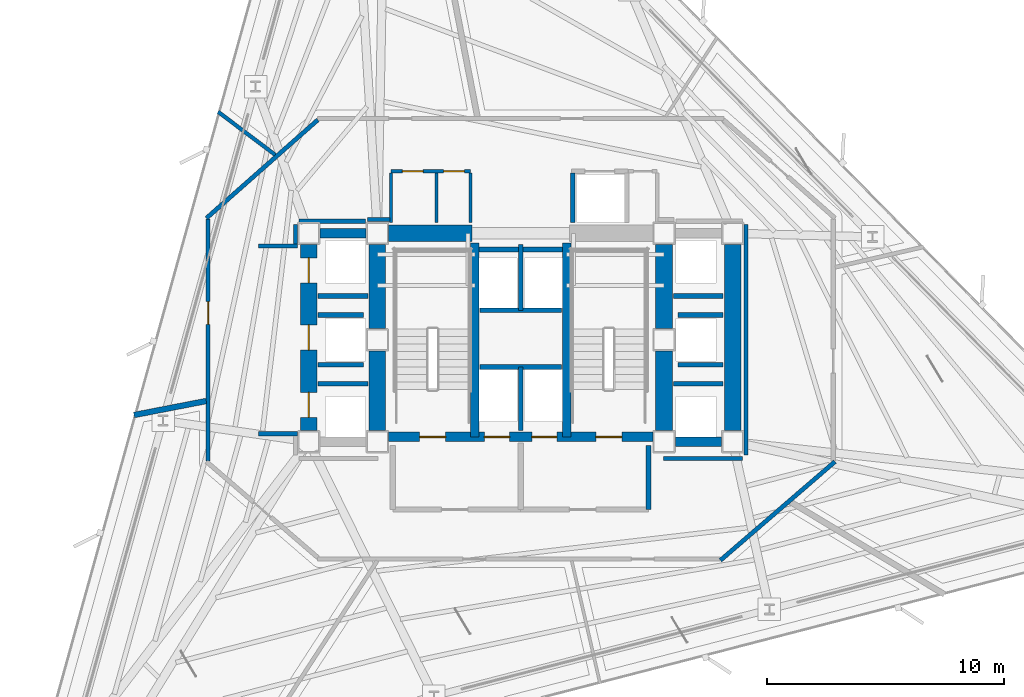
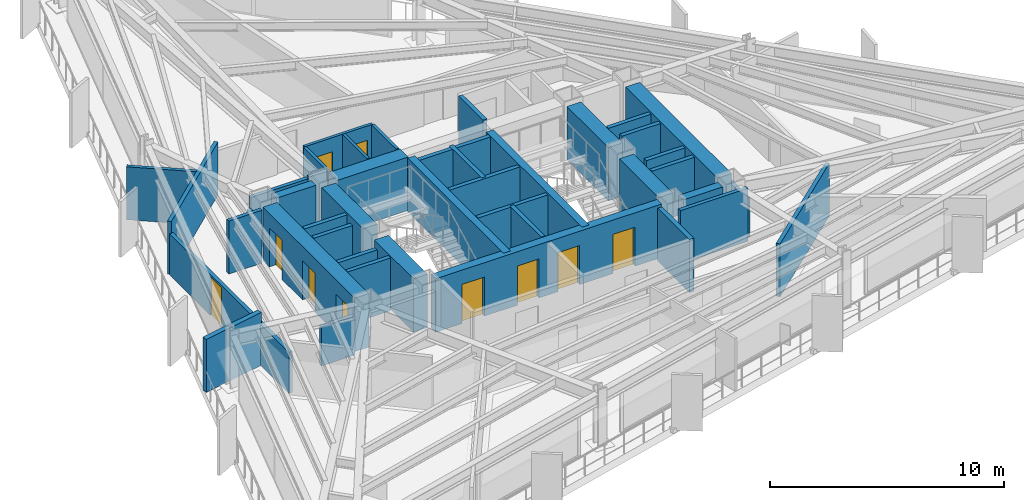
# One storey, part 7 of 11: 43 walls, 10 doors, 10 openings.
"""IFC4 building model written with IfcOpenShell, lengths in metres."""

from ifc_helpers import new_model, si_unit, direction, frame, frame_2d, origin, place, context, subcontext, project, spatial, rectangle, extrude, material, layer, layer_set, type_object, element, fill, save


model = new_model("IFC4")

# Units and contexts
model_context = context("Model", 3, precision=1e-05, world=origin(), true_north=direction((0.0, 1.0)))
body_context = subcontext(model_context, "Body", "Model", "MODEL_VIEW")
ifc_project = project(units=[si_unit("LENGTHUNIT", "METRE"), si_unit("AREAUNIT", "SQUARE_METRE"), si_unit("VOLUMEUNIT", "CUBIC_METRE"), si_unit("PLANEANGLEUNIT", "RADIAN"), si_unit("MASSUNIT", "GRAM", prefix="KILO")], contexts=[model_context])

# Site, building, storey
site_placement = place(None, origin())
site = spatial("IfcSite", under=ifc_project, at=site_placement, CompositionType="ELEMENT")
building_placement = place(site_placement, origin())
building = spatial("IfcBuilding", under=site, at=building_placement, Name="Rocaltana Carrier Exchange", CompositionType="ELEMENT")
storey_placement = place(building_placement, frame((0.0, 0.0, 76.47998046875)))
storey = spatial("IfcBuildingStorey", under=building, at=storey_placement, Name="L23", CompositionType="ELEMENT", Elevation=76.47998046875)

# Walls
ifc_material_1 = material(Name="Double Acoustic Gypsum Partition", Category="gypsum")
ifc_layer_1 = layer(ifc_material_1, 0.159912109375)
ifc_layer_set_1 = layer_set([ifc_layer_1], Name="Double Acoustic Gypsum Partition")
wall_type_1 = type_object("IfcWallType", Name="Acoustic Studio Partition 160 EI60", PredefinedType="PARTITIONING", material=ifc_layer_set_1)
wall_1_placement = place(storey_placement, frame((-10.364501953125, 7.810302734375, 0.0), z_axis=(0.0, 0.0, 1.0), x_axis=(-0.79865006228, 0.601795711201, 0.0)))
element("IfcWall", 1, at=wall_1_placement, inside=storey, type_object=wall_type_1, Name="L23 Suite Divider Wall D8", PredefinedType="PARTITIONING", context=body_context, shape_type="SweptSolid", body=[
    extrude(rectangle(XDim=3.021240234375, YDim=0.159912109375, at=frame_2d((1.5107421875, 0.0))), origin(), (0.0, 0.0, 1.0), 2.762939453125),
])
ifc_material_2 = material(Name="Concrete C50/60", Category="concrete")
ifc_layer_2 = layer(ifc_material_2, 0.35009765625)
ifc_layer_set_2 = layer_set([ifc_layer_2], Name="Concrete C50/60")
wall_type_2 = type_object("IfcWallType", Name="Core Internal Shear Wall 350", PredefinedType="SHEAR", material=ifc_layer_set_2)
for number, where, z_axis, x_axis, name in (
    (2, (-1.93994140625, -4.10009765625, 0.0), (0.0, 0.0, 1.0), (0.0, 1.0, 0.0), "L23 Core Shear Wall CW-STW"),
    (3, (1.93994140625, -4.10009765625, 0.0), (0.0, 0.0, 1.0), (0.0, 1.0, 0.0), "L23 Core Shear Wall CW-STE"),
):
    element("IfcWall", number, at=place(storey_placement, frame(where, z_axis=z_axis, x_axis=x_axis)), inside=storey, type_object=wall_type_2, Name=name, PredefinedType="SHEAR", context=body_context, shape_type="SweptSolid", body=[
        extrude(rectangle(XDim=8.2001953125, YDim=0.35009765625, at=frame_2d((4.10009765625, 0.0))), origin(), (0.0, 0.0, 1.0), 2.7880859375),
    ])

# Wall, openings, doors
ifc_material_3 = material(Name="Concrete C50/60", Category="concrete")
ifc_layer_3 = layer(ifc_material_3, 0.39990234375)
ifc_layer_set_3 = layer_set([ifc_layer_3], Name="Concrete C50/60")
wall_type_3 = type_object("IfcWallType", Name="Core Internal Shear Wall 400", PredefinedType="SHEAR", material=ifc_layer_set_3)
wall_2_placement = place(storey_placement, frame((-5.574951171875, -4.10009765625, 0.0), z_axis=(0.0, 0.0, 1.0), x_axis=(1.0, 0.0, 0.0)))
wall_2 = element("IfcWall", 4, at=wall_2_placement, inside=storey, type_object=wall_type_3, Name="L23 Core Shear Wall CW-S", PredefinedType="SHEAR", context=body_context, shape_type="SweptSolid", body=[
    extrude(rectangle(XDim=11.14990234375, YDim=0.39990234375, at=frame_2d((5.574951171875, 0.0))), origin(), (0.0, 0.0, 1.0), 2.7880859375),
])
opening_1_placement = place(wall_2_placement, frame((1.304931640625, 0.0, 0.0)))
opening_1 = element("IfcOpeningElement", 5, at=opening_1_placement, cuts=wall_2, Name="Opening D-ST110", PredefinedType="OPENING", context=body_context, shape_type="SweptSolid", body=[
    extrude(rectangle(XDim=1.10009765625, YDim=2.0400390625, at=frame_2d((0.550048828125, 1.02001953125))), frame((0.0, 0.2099609375, 0.0), z_axis=(0.0, -1.0, 0.0), x_axis=(1.0, 0.0, 0.0)), (0.0, 0.0, 1.0), 0.419921875),
])
opening_2_placement = place(wall_2_placement, frame((8.7451171875, 0.0, 0.0)))
opening_2 = element("IfcOpeningElement", 6, at=opening_2_placement, cuts=wall_2, Name="Opening D-ST110", PredefinedType="OPENING", context=body_context, shape_type="SweptSolid", body=[
    extrude(rectangle(XDim=1.10009765625, YDim=2.0400390625, at=frame_2d((0.550048828125, 1.02001953125))), frame((0.0, 0.2099609375, 0.0), z_axis=(0.0, -1.0, 0.0), x_axis=(1.0, 0.0, 0.0)), (0.0, 0.0, 1.0), 0.419921875),
])
opening_3_placement = place(wall_2_placement, frame((4.044921875, 0.0, 0.0)))
opening_3 = element("IfcOpeningElement", 7, at=opening_3_placement, cuts=wall_2, Name="Opening LD-110", PredefinedType="OPENING", context=body_context, shape_type="SweptSolid", body=[
    extrude(rectangle(XDim=1.06005859375, YDim=2.0400390625, at=frame_2d((0.530029296875, 1.02001953125))), frame((0.0, 0.2099609375, 0.0), z_axis=(0.0, -1.0, 0.0), x_axis=(1.0, 0.0, 0.0)), (0.0, 0.0, 1.0), 0.419921875),
])
opening_4_placement = place(wall_2_placement, frame((6.044921875, 0.0, 0.0)))
opening_4 = element("IfcOpeningElement", 8, at=opening_4_placement, cuts=wall_2, Name="Opening LD-110", PredefinedType="OPENING", context=body_context, shape_type="SweptSolid", body=[
    extrude(rectangle(XDim=1.06005859375, YDim=2.0400390625, at=frame_2d((0.530029296875, 1.02001953125))), frame((0.0, 0.2099609375, 0.0), z_axis=(0.0, -1.0, 0.0), x_axis=(1.0, 0.0, 0.0)), (0.0, 0.0, 1.0), 0.419921875),
])
ifc_material_4 = material(Name="Hollow Metal Fire Door Assembly", Category="steel")
door_type_1 = type_object("IfcDoorType", Name="Exit Stair Fire Door 1100x2040 FD90S", OperationType="NOTDEFINED", PredefinedType="DOOR", material=ifc_material_4)
door_1_placement = place(opening_1_placement, origin())
door_1 = element("IfcDoor", 9, at=door_1_placement, inside=storey, type_object=door_type_1, Name="L23 Exit Stair ST1 Fire Door", OperationType="SINGLE_SWING_RIGHT", OverallHeight=2.0400390625, OverallWidth=1.10009765625, PredefinedType="DOOR", context=body_context, shape_type="SweptSolid", body=[
    extrude(rectangle(XDim=1.10009765625, YDim=2.0400390625, at=frame_2d((0.550048828125, 1.02001953125))), frame((0.0, 0.02490234375, 0.0), z_axis=(0.0, -1.0, 0.0), x_axis=(1.0, 0.0, 0.0)), (0.0, 0.0, 1.0), 0.050048828125),
])
fill(opening_1, door_1)
door_2_placement = place(opening_2_placement, origin())
door_2 = element("IfcDoor", 10, at=door_2_placement, inside=storey, type_object=door_type_1, Name="L23 Exit Stair ST2 Fire Door", OperationType="SINGLE_SWING_LEFT", OverallHeight=2.0400390625, OverallWidth=1.10009765625, PredefinedType="DOOR", context=body_context, shape_type="SweptSolid", body=[
    extrude(rectangle(XDim=1.10009765625, YDim=2.0400390625, at=frame_2d((0.550048828125, 1.02001953125))), frame((0.0, 0.02490234375, 0.0), z_axis=(0.0, -1.0, 0.0), x_axis=(1.0, 0.0, 0.0)), (0.0, 0.0, 1.0), 0.050048828125),
])
fill(opening_2, door_2)
ifc_material_5 = material(Name="Brushed Stainless Sliding Door Leaf", Category="steel")
door_type_2 = type_object("IfcDoorType", Name="Lift Landing Sliding Door 1060x2040", OperationType="NOTDEFINED", PredefinedType="DOOR", material=ifc_material_5)
door_3_placement = place(opening_3_placement, origin())
door_3 = element("IfcDoor", 11, at=door_3_placement, inside=storey, type_object=door_type_2, Name="L23 Firefighting Lift FFL1 Landing Door", OperationType="SLIDING_TO_LEFT", OverallHeight=2.0400390625, OverallWidth=1.06005859375, PredefinedType="DOOR", context=body_context, shape_type="SweptSolid", body=[
    extrude(rectangle(XDim=1.06005859375, YDim=2.0400390625, at=frame_2d((0.530029296875, 1.02001953125))), frame((0.0, 0.02490234375, 0.0), z_axis=(0.0, -1.0, 0.0), x_axis=(1.0, 0.0, 0.0)), (0.0, 0.0, 1.0), 0.050048828125),
])
fill(opening_3, door_3)
door_4_placement = place(opening_4_placement, origin())
door_4 = element("IfcDoor", 12, at=door_4_placement, inside=storey, type_object=door_type_2, Name="L23 Firefighting Lift FFL2 Landing Door", OperationType="SLIDING_TO_RIGHT", OverallHeight=2.0400390625, OverallWidth=1.06005859375, PredefinedType="DOOR", context=body_context, shape_type="SweptSolid", body=[
    extrude(rectangle(XDim=1.06005859375, YDim=2.0400390625, at=frame_2d((0.530029296875, 1.02001953125))), frame((0.0, 0.02490234375, 0.0), z_axis=(0.0, -1.0, 0.0), x_axis=(1.0, 0.0, 0.0)), (0.0, 0.0, 1.0), 0.050048828125),
])
fill(opening_4, door_4)

# Walls
for number, where, z_axis, x_axis, name in (
    (13, (-8.47509765625, 4.5, 0.0), (0.0, 0.0, 1.0), (1.0, 0.0, 0.0), "L23 Core Shear Wall CW-WWN"),
    (14, (6.52490234375, -4.300048828125, 0.0), (0.0, 0.0, 1.0), (1.0, 0.0, 0.0), "L23 Core Shear Wall CW-EWS"),
):
    element("IfcWall", number, at=place(storey_placement, frame(where, z_axis=z_axis, x_axis=x_axis)), inside=storey, type_object=wall_type_3, Name=name, PredefinedType="SHEAR", context=body_context, shape_type="SweptSolid", body=[
        extrude(rectangle(XDim=1.9501953125, YDim=0.39990234375, at=frame_2d((0.97509765625, 0.0))), origin(), (0.0, 0.0, 1.0), 2.7880859375),
    ])
ifc_material_6 = material(Name="Concrete C60/75", Category="concrete")
ifc_layer_4 = layer(ifc_material_6, 0.699951171875)
ifc_layer_set_4 = layer_set([ifc_layer_4], Name="Concrete C60/75")
wall_type_4 = type_object("IfcWallType", Name="Core Shear Wall 700", PredefinedType="SHEAR", material=ifc_layer_set_4)
wall_3_placement = place(storey_placement, frame((-6.050048828125, 0.47509765625, 0.0), z_axis=(0.0, 0.0, 1.0), x_axis=(0.0, 1.0, 0.0)))
element("IfcWall", 15, at=wall_3_placement, inside=storey, type_object=wall_type_4, Name="L23 Core Shear Wall CW-WN", PredefinedType="SHEAR", context=body_context, shape_type="SweptSolid", body=[
    extrude(rectangle(XDim=3.5498046875, YDim=0.699951171875, at=frame_2d((1.77490234375, 0.0))), origin(), (0.0, 0.0, 1.0), 2.7880859375),
])
wall_4_placement = place(storey_placement, frame((-6.050048828125, -3.824951171875, 0.0), z_axis=(0.0, 0.0, 1.0), x_axis=(0.0, 1.0, 0.0)))
element("IfcWall", 16, at=wall_4_placement, inside=storey, type_object=wall_type_4, Name="L23 Core Shear Wall CW-WS", PredefinedType="SHEAR", context=body_context, shape_type="SweptSolid", body=[
    extrude(rectangle(XDim=3.349853515625, YDim=0.699951171875, at=frame_2d((1.6748046875, 0.0))), origin(), (0.0, 0.0, 1.0), 2.7880859375),
])
wall_5_placement = place(storey_placement, frame((6.050048828125, 0.47509765625, 0.0), z_axis=(0.0, 0.0, 1.0), x_axis=(0.0, 1.0, 0.0)))
element("IfcWall", 17, at=wall_5_placement, inside=storey, type_object=wall_type_4, Name="L23 Core Shear Wall CW-EN", PredefinedType="SHEAR", context=body_context, shape_type="SweptSolid", body=[
    extrude(rectangle(XDim=3.5498046875, YDim=0.699951171875, at=frame_2d((1.77490234375, 0.0))), origin(), (0.0, 0.0, 1.0), 2.7880859375),
])
wall_6_placement = place(storey_placement, frame((6.050048828125, -3.824951171875, 0.0), z_axis=(0.0, 0.0, 1.0), x_axis=(0.0, 1.0, 0.0)))
element("IfcWall", 18, at=wall_6_placement, inside=storey, type_object=wall_type_4, Name="L23 Core Shear Wall CW-ES", PredefinedType="SHEAR", context=body_context, shape_type="SweptSolid", body=[
    extrude(rectangle(XDim=3.349853515625, YDim=0.699951171875, at=frame_2d((1.6748046875, 0.0))), origin(), (0.0, 0.0, 1.0), 2.7880859375),
])
wall_7_placement = place(storey_placement, frame((-5.574951171875, 4.5, 0.0), z_axis=(0.0, 0.0, 1.0), x_axis=(1.0, 0.0, 0.0)))
element("IfcWall", 19, at=wall_7_placement, inside=storey, type_object=wall_type_4, Name="L23 Core Shear Wall CW-N1", PredefinedType="SHEAR", context=body_context, shape_type="SweptSolid", body=[
    extrude(rectangle(XDim=3.52490234375, YDim=0.699951171875, at=frame_2d((1.762451171875, 0.0))), origin(), (0.0, 0.0, 1.0), 2.7880859375),
])

# Wall, openings, doors
wall_8_placement = place(storey_placement, frame((-8.949951171875, -3.824951171875, 0.0), z_axis=(0.0, 0.0, 1.0), x_axis=(0.0, 1.0, 0.0)))
wall_8 = element("IfcWall", 20, at=wall_8_placement, inside=storey, type_object=wall_type_4, Name="L23 Core Shear Wall CW-WW", PredefinedType="SHEAR", context=body_context, shape_type="SweptSolid", body=[
    extrude(rectangle(XDim=7.849853515625, YDim=0.699951171875, at=frame_2d((3.9248046875, 0.0))), origin(), (0.0, 0.0, 1.0), 2.7880859375),
])
opening_5_placement = place(wall_8_placement, frame((0.550048828125, 0.0, 0.0)))
opening_5 = element("IfcOpeningElement", 21, at=opening_5_placement, cuts=wall_8, Name="Opening LD-110", PredefinedType="OPENING", context=body_context, shape_type="SweptSolid", body=[
    extrude(rectangle(XDim=1.06005859375, YDim=2.0400390625, at=frame_2d((0.530029296875, 1.02001953125))), frame((0.0, 0.35986328125, 0.0), z_axis=(0.0, -1.0, 0.0), x_axis=(1.0, 0.0, 0.0)), (0.0, 0.0, 1.0), 0.719970703125),
])
opening_6_placement = place(wall_8_placement, frame((3.39501953125, 0.0, 0.0)))
opening_6 = element("IfcOpeningElement", 22, at=opening_6_placement, cuts=wall_8, Name="Opening LD-110", PredefinedType="OPENING", context=body_context, shape_type="SweptSolid", body=[
    extrude(rectangle(XDim=1.06005859375, YDim=2.0400390625, at=frame_2d((0.530029296875, 1.02001953125))), frame((0.0, 0.35986328125, 0.0), z_axis=(0.0, -1.0, 0.0), x_axis=(1.0, 0.0, 0.0)), (0.0, 0.0, 1.0), 0.719970703125),
])
opening_7_placement = place(wall_8_placement, frame((6.22998046875, 0.0, 0.0)))
opening_7 = element("IfcOpeningElement", 23, at=opening_7_placement, cuts=wall_8, Name="Opening LD-110", PredefinedType="OPENING", context=body_context, shape_type="SweptSolid", body=[
    extrude(rectangle(XDim=1.06005859375, YDim=2.0400390625, at=frame_2d((0.530029296875, 1.02001953125))), frame((0.0, 0.35986328125, 0.0), z_axis=(0.0, -1.0, 0.0), x_axis=(1.0, 0.0, 0.0)), (0.0, 0.0, 1.0), 0.719970703125),
])
door_5_placement = place(opening_5_placement, origin())
door_5 = element("IfcDoor", 24, at=door_5_placement, inside=storey, type_object=door_type_2, Name="L23 Low-Rise Lift PL-L1 Landing Door", OperationType="SLIDING_TO_LEFT", OverallHeight=2.0400390625, OverallWidth=1.06005859375, PredefinedType="DOOR", context=body_context, shape_type="SweptSolid", body=[
    extrude(rectangle(XDim=1.06005859375, YDim=2.0400390625, at=frame_2d((0.530029296875, 1.02001953125))), frame((0.0, 0.02490234375, 0.0), z_axis=(0.0, -1.0, 0.0), x_axis=(1.0, 0.0, 0.0)), (0.0, 0.0, 1.0), 0.050048828125),
])
fill(opening_5, door_5)
door_6_placement = place(opening_6_placement, origin())
door_6 = element("IfcDoor", 25, at=door_6_placement, inside=storey, type_object=door_type_2, Name="L23 Low-Rise Lift PL-L2 Landing Door", OperationType="SLIDING_TO_RIGHT", OverallHeight=2.0400390625, OverallWidth=1.06005859375, PredefinedType="DOOR", context=body_context, shape_type="SweptSolid", body=[
    extrude(rectangle(XDim=1.06005859375, YDim=2.0400390625, at=frame_2d((0.530029296875, 1.02001953125))), frame((0.0, 0.02490234375, 0.0), z_axis=(0.0, -1.0, 0.0), x_axis=(1.0, 0.0, 0.0)), (0.0, 0.0, 1.0), 0.050048828125),
])
fill(opening_6, door_6)
door_7_placement = place(opening_7_placement, origin())
door_7 = element("IfcDoor", 26, at=door_7_placement, inside=storey, type_object=door_type_2, Name="L23 Low-Rise Lift PL-L3 Landing Door", OperationType="SLIDING_TO_LEFT", OverallHeight=2.0400390625, OverallWidth=1.06005859375, PredefinedType="DOOR", context=body_context, shape_type="SweptSolid", body=[
    extrude(rectangle(XDim=1.06005859375, YDim=2.0400390625, at=frame_2d((0.530029296875, 1.02001953125))), frame((0.0, 0.02490234375, 0.0), z_axis=(0.0, -1.0, 0.0), x_axis=(1.0, 0.0, 0.0)), (0.0, 0.0, 1.0), 0.050048828125),
])
fill(opening_7, door_7)

# Walls
wall_9_placement = place(storey_placement, frame((8.949951171875, -3.824951171875, 0.0), z_axis=(0.0, 0.0, 1.0), x_axis=(0.0, 1.0, 0.0)))
element("IfcWall", 27, at=wall_9_placement, inside=storey, type_object=wall_type_4, Name="L23 Core Shear Wall CW-EW", PredefinedType="SHEAR", context=body_context, shape_type="SweptSolid", body=[
    extrude(rectangle(XDim=7.849853515625, YDim=0.699951171875, at=frame_2d((3.9248046875, 0.0))), origin(), (0.0, 0.0, 1.0), 2.7880859375),
])
ifc_material_7 = material(Name="Gypsum & Steel Stud Partition", Category="steel")
ifc_layer_5 = layer(ifc_material_7, 0.179931640625)
ifc_layer_set_5 = layer_set([ifc_layer_5], Name="Gypsum & Steel Stud Partition")
wall_type_5 = type_object("IfcWallType", Name="Corridor Fire Partition 180 EI60", PredefinedType="PARTITIONING", material=ifc_layer_set_5)
wall_10_placement = place(storey_placement, frame((13.268310546875, -5.14111328125, 0.0), z_axis=(0.0, 0.0, 1.0), x_axis=(-0.757534501725, -0.65279512766, 0.0)))
element("IfcWall", 28, at=wall_10_placement, inside=storey, type_object=wall_type_5, Name="L23 Corridor Partition 4", PredefinedType="PARTITIONING", context=body_context, shape_type="SweptSolid", body=[
    extrude(rectangle(XDim=6.384521484375, YDim=0.179931640625, at=frame_2d((3.1923828125, 0.0))), origin(), (0.0, 0.0, 1.0), 2.762939453125),
])

# Wall, opening, door
wall_11_placement = place(storey_placement, frame((-13.199951171875, -5.110107421875, 0.0), z_axis=(0.0, 0.0, 1.0), x_axis=(0.0, 1.0, 0.0)))
wall_11 = element("IfcWall", 29, at=wall_11_placement, inside=storey, type_object=wall_type_5, Name="L23 Corridor Partition 7", PredefinedType="PARTITIONING", context=body_context, shape_type="SweptSolid", body=[
    extrude(rectangle(XDim=10.22021484375, YDim=0.179931640625, at=frame_2d((5.110107421875, 0.0))), origin(), (0.0, 0.0, 1.0), 2.14306640625),
])
opening_8_placement = place(wall_11_placement, frame((5.764892578125, 0.0, 0.0)))
opening_8 = element("IfcOpeningElement", 30, at=opening_8_placement, cuts=wall_11, Name="Opening D-RM098", PredefinedType="OPENING", context=body_context, shape_type="SweptSolid", body=[
    extrude(rectangle(XDim=0.9599609375, YDim=2.02001953125, at=frame_2d((0.47998046875, 1.010009765625))), frame((0.0, 0.099853515625, 0.0), z_axis=(0.0, -1.0, 0.0), x_axis=(1.0, 0.0, 0.0)), (0.0, 0.0, 1.0), 0.199951171875),
])
ifc_material_8 = material(Name="Engineered Hardwood Timber", Category="wood")
door_type_3 = type_object("IfcDoorType", Name="Workspace Single Door 960x2020", OperationType="NOTDEFINED", PredefinedType="DOOR", material=ifc_material_8)
door_8_placement = place(opening_8_placement, origin())
door_8 = element("IfcDoor", 31, at=door_8_placement, inside=storey, type_object=door_type_3, Name="L23 Incident Briefing Room Entrance Door", OperationType="SINGLE_SWING_RIGHT", OverallHeight=2.02001953125, OverallWidth=0.9599609375, PredefinedType="DOOR", context=body_context, shape_type="SweptSolid", body=[
    extrude(rectangle(XDim=0.9599609375, YDim=2.02001953125, at=frame_2d((0.47998046875, 1.010009765625))), frame((0.0, 0.02490234375, 0.0), z_axis=(0.0, -1.0, 0.0), x_axis=(1.0, 0.0, 0.0)), (0.0, 0.0, 1.0), 0.050048828125),
])
fill(opening_8, door_8)

# Walls
wall_12_placement = place(storey_placement, frame((-13.267578125, 5.140380859375, 0.0), z_axis=(0.0, 0.0, 1.0), x_axis=(0.749626463267, 0.66186113768, 0.0)))
element("IfcWall", 32, at=wall_12_placement, inside=storey, type_object=wall_type_5, Name="L23 Corridor Partition 8", PredefinedType="PARTITIONING", context=body_context, shape_type="SweptSolid", body=[
    extrude(rectangle(XDim=6.27001953125, YDim=0.179931640625, at=frame_2d((3.135009765625, 0.0))), origin(), (0.0, 0.0, 1.0), 2.762939453125),
])
wall_13_placement = place(storey_placement, frame((-9.510009765625, 4.8701171875, 0.0), z_axis=(0.0, 0.0, 1.0), x_axis=(0.0, -1.0, 0.0)))
element("IfcWall", 33, at=wall_13_placement, inside=storey, type_object=wall_type_5, Name="L23 Corridor Partition 9", PredefinedType="PARTITIONING", context=body_context, shape_type="SweptSolid", body=[
    extrude(rectangle(XDim=0.820068359375, YDim=0.179931640625, at=frame_2d((0.41015625, 0.0))), origin(), (0.0, 0.0, 1.0), 2.277099609375),
])
wall_14_placement = place(storey_placement, frame((-9.419921875, 3.9599609375, 0.0), z_axis=(0.0, 0.0, 1.0), x_axis=(-1.0, 0.0, 0.0)))
element("IfcWall", 34, at=wall_14_placement, inside=storey, type_object=wall_type_5, Name="L23 Corridor Partition 10", PredefinedType="PARTITIONING", context=body_context, shape_type="SweptSolid", body=[
    extrude(rectangle(XDim=1.650146484375, YDim=0.179931640625, at=frame_2d((0.8251953125, 0.0))), origin(), (0.0, 0.0, 1.0), 2.762939453125),
])
wall_15_placement = place(storey_placement, frame((-11.070068359375, -3.9599609375, 0.0), z_axis=(0.0, 0.0, 1.0), x_axis=(1.0, 0.0, 0.0)))
element("IfcWall", 35, at=wall_15_placement, inside=storey, type_object=wall_type_5, Name="L23 Corridor Partition 11", PredefinedType="PARTITIONING", context=body_context, shape_type="SweptSolid", body=[
    extrude(rectangle(XDim=1.650146484375, YDim=0.179931640625, at=frame_2d((0.8251953125, 0.0))), origin(), (0.0, 0.0, 1.0), 2.048095703125),
])
wall_16_placement = place(storey_placement, frame((6.030029296875, -5.010009765625, 0.0), z_axis=(0.0, 0.0, 1.0), x_axis=(1.0, 0.0, 0.0)))
element("IfcWall", 36, at=wall_16_placement, inside=storey, type_object=wall_type_5, Name="L23 Corridor Partition 16", PredefinedType="PARTITIONING", context=body_context, shape_type="SweptSolid", body=[
    extrude(rectangle(XDim=3.340087890625, YDim=0.179931640625, at=frame_2d((1.669921875, 0.0))), origin(), (0.0, 0.0, 1.0), 2.762939453125),
])
wall_17_placement = place(storey_placement, frame((9.510009765625, -4.8701171875, 0.0), z_axis=(0.0, 0.0, 1.0), x_axis=(0.0, 1.0, 0.0)))
element("IfcWall", 37, at=wall_17_placement, inside=storey, type_object=wall_type_5, Name="L23 Corridor Partition 17", PredefinedType="PARTITIONING", context=body_context, shape_type="SweptSolid", body=[
    extrude(rectangle(XDim=9.740234375, YDim=0.179931640625, at=frame_2d((4.8701171875, 0.0))), origin(), (0.0, 0.0, 1.0), 2.048095703125),
])
wall_18_placement = place(storey_placement, frame((-5.52001953125, 5.080078125, 0.0), z_axis=(0.0, 0.0, 1.0), x_axis=(-1.0, 0.0, 0.0)))
element("IfcWall", 38, at=wall_18_placement, inside=storey, type_object=wall_type_5, Name="L23 Corridor Partition 22", PredefinedType="PARTITIONING", context=body_context, shape_type="SweptSolid", body=[
    extrude(rectangle(XDim=0.949951171875, YDim=0.179931640625, at=frame_2d((0.47509765625, 0.0))), origin(), (0.0, 0.0, 1.0), 2.762939453125),
])
wall_19_placement = place(storey_placement, frame((-6.562255859375, 5.010009765625, 0.0), z_axis=(0.0, 0.0, 1.0), x_axis=(-1.0, 0.0, 0.0)))
element("IfcWall", 39, at=wall_19_placement, inside=storey, type_object=wall_type_5, Name="L23 Corridor Partition 23", PredefinedType="PARTITIONING", context=body_context, shape_type="SweptSolid", body=[
    extrude(rectangle(XDim=2.807861328125, YDim=0.179931640625, at=frame_2d((1.40380859375, 0.0))), origin(), (0.0, 0.0, 1.0), 2.762939453125),
])
ifc_material_9 = material(Name="Autoclaved Aerated Concrete C30/37", Category="concrete")
ifc_layer_6 = layer(ifc_material_9, 0.219970703125)
ifc_layer_set_6 = layer_set([ifc_layer_6], Name="Autoclaved Aerated Concrete C30/37")
wall_type_6 = type_object("IfcWallType", Name="Firefighting Lobby Wall 220 EI120", PredefinedType="PARTITIONING", material=ifc_layer_set_6)
wall_20_placement = place(storey_placement, frame((5.39990234375, -7.159912109375, 0.0), z_axis=(0.0, 0.0, 1.0), x_axis=(0.0, 1.0, 0.0)))
element("IfcWall", 40, at=wall_20_placement, inside=storey, type_object=wall_type_6, Name="L23 FFL Lobby 2 East Wall", PredefinedType="PARTITIONING", context=body_context, shape_type="SweptSolid", body=[
    extrude(rectangle(XDim=2.7099609375, YDim=0.219970703125, at=frame_2d((1.35498046875, 0.0))), origin(), (0.0, 0.0, 1.0), 2.762939453125),
])
ifc_material_10 = material(Name="Acoustic Calcium Silicate Partition", Category="gypsum")
ifc_layer_7 = layer(ifc_material_10, 0.239990234375)
ifc_layer_set_7 = layer_set([ifc_layer_7], Name="Acoustic Calcium Silicate Partition")
wall_type_7 = type_object("IfcWallType", Name="Heavy Lab Partition 240 EI90", PredefinedType="PARTITIONING", material=ifc_layer_set_7)
wall_21_placement = place(storey_placement, frame((-13.280029296875, -2.581298828125, 0.0), z_axis=(0.0, 0.0, 1.0), x_axis=(-0.98161907283, -0.190850716155, 0.0)))
element("IfcWall", 41, at=wall_21_placement, inside=storey, type_object=wall_type_7, Name="L23 Suite Divider Wall D1", PredefinedType="PARTITIONING", context=body_context, shape_type="SweptSolid", body=[
    extrude(rectangle(XDim=3.104736328125, YDim=0.239990234375, at=frame_2d((1.55224609375, 0.0))), origin(), (0.0, 0.0, 1.0), 2.762939453125),
])
ifc_material_11 = material(Name="Reinforced Concrete Block C35/45", Category="concrete")
ifc_layer_8 = layer(ifc_material_11, 0.199951171875)
ifc_layer_set_8 = layer_set([ifc_layer_8], Name="Reinforced Concrete Block C35/45")
wall_type_8 = type_object("IfcWallType", Name="Lift Hoistway Enclosure Wall 200 EI120", PredefinedType="PARTITIONING", material=ifc_layer_set_8)
wall_22_placement = place(storey_placement, frame((0.0, -3.820068359375, 0.0), z_axis=(0.0, 0.0, 1.0), x_axis=(0.0, 1.0, 0.0)))
element("IfcWall", 42, at=wall_22_placement, inside=storey, type_object=wall_type_8, Name="L23 FFL Shaft Divider", PredefinedType="PARTITIONING", context=body_context, shape_type="SweptSolid", body=[
    extrude(rectangle(XDim=2.670166015625, YDim=0.199951171875, at=frame_2d((1.3349609375, 0.0))), origin(), (0.0, 0.0, 1.0), 2.762939453125),
])
wall_23_placement = place(storey_placement, frame((-1.719970703125, -1.14990234375, 0.0), z_axis=(0.0, 0.0, 1.0), x_axis=(1.0, 0.0, 0.0)))
element("IfcWall", 43, at=wall_23_placement, inside=storey, type_object=wall_type_8, Name="L23 FFL Shaft Back Wall", PredefinedType="PARTITIONING", context=body_context, shape_type="SweptSolid", body=[
    extrude(rectangle(XDim=3.43994140625, YDim=0.199951171875, at=frame_2d((1.719970703125, 0.0))), origin(), (0.0, 0.0, 1.0), 2.762939453125),
])
wall_24_placement = place(storey_placement, frame((0.0, 1.25, 0.0), z_axis=(0.0, 0.0, 1.0), x_axis=(0.0, 1.0, 0.0)))
element("IfcWall", 44, at=wall_24_placement, inside=storey, type_object=wall_type_8, Name="L23 High-Rise Shaft Divider", PredefinedType="PARTITIONING", context=body_context, shape_type="SweptSolid", body=[
    extrude(rectangle(XDim=2.77001953125, YDim=0.199951171875, at=frame_2d((1.385009765625, 0.0))), origin(), (0.0, 0.0, 1.0), 2.762939453125),
])
wall_25_placement = place(storey_placement, frame((-1.719970703125, 1.25, 0.0), z_axis=(0.0, 0.0, 1.0), x_axis=(1.0, 0.0, 0.0)))
element("IfcWall", 45, at=wall_25_placement, inside=storey, type_object=wall_type_8, Name="L23 High-Rise Shaft Back Wall", PredefinedType="PARTITIONING", context=body_context, shape_type="SweptSolid", body=[
    extrude(rectangle(XDim=3.43994140625, YDim=0.199951171875, at=frame_2d((1.719970703125, 0.0))), origin(), (0.0, 0.0, 1.0), 2.762939453125),
])
wall_26_placement = place(storey_placement, frame((-1.760009765625, 3.820068359375, 0.0), z_axis=(0.0, 0.0, 1.0), x_axis=(1.0, 0.0, 0.0)))
element("IfcWall", 46, at=wall_26_placement, inside=storey, type_object=wall_type_8, Name="L23 High-Rise Lift Front Wall", PredefinedType="PARTITIONING", context=body_context, shape_type="SweptSolid", body=[
    extrude(rectangle(XDim=3.52001953125, YDim=0.199951171875, at=frame_2d((1.760009765625, 0.0))), origin(), (0.0, 0.0, 1.0), 2.762939453125),
])
for number, where, z_axis, x_axis, name in (
    (47, (2.199951171875, 4.949951171875, 0.0), (0.0, 0.0, 1.0), (0.0, 1.0, 0.0), "L23 Goods Lift West Wall"),
    (48, (-8.550048828125, -1.85009765625, 0.0), (0.0, 0.0, 1.0), (1.0, 0.0, 0.0), "L23 Low-Rise Shaft Divider 1"),
    (49, (-8.550048828125, 1.85009765625, 0.0), (0.0, 0.0, 1.0), (1.0, 0.0, 0.0), "L23 Low-Rise Shaft Divider 2"),
):
    element("IfcWall", number, at=place(storey_placement, frame(where, z_axis=z_axis, x_axis=x_axis)), inside=storey, type_object=wall_type_8, Name=name, PredefinedType="PARTITIONING", context=body_context, shape_type="SweptSolid", body=[
        extrude(rectangle(XDim=2.10009765625, YDim=0.199951171875, at=frame_2d((1.050048828125, 0.0))), origin(), (0.0, 0.0, 1.0), 2.762939453125),
    ])
for number, where, z_axis, x_axis, name in (
    (50, (-8.550048828125, -1.050048828125, 0.0), (0.0, 0.0, 1.0), (1.0, 0.0, 0.0), "L23 Low-Rise Center Shaft Wall South"),
    (51, (-8.550048828125, 1.050048828125, 0.0), (0.0, 0.0, 1.0), (1.0, 0.0, 0.0), "L23 Low-Rise Center Shaft Wall North"),
):
    element("IfcWall", number, at=place(storey_placement, frame(where, z_axis=z_axis, x_axis=x_axis)), inside=storey, type_object=wall_type_8, Name=name, PredefinedType="PARTITIONING", context=body_context, shape_type="SweptSolid", body=[
        extrude(rectangle(XDim=1.91015625, YDim=0.199951171875, at=frame_2d((0.955078125, 0.0))), origin(), (0.0, 0.0, 1.0), 2.762939453125),
    ])
for number, where, z_axis, x_axis, name in (
    (52, (6.449951171875, -1.85009765625, 0.0), (0.0, 0.0, 1.0), (1.0, 0.0, 0.0), "L23 Mid-Rise Shaft Divider 1"),
    (53, (6.449951171875, 1.85009765625, 0.0), (0.0, 0.0, 1.0), (1.0, 0.0, 0.0), "L23 Mid-Rise Shaft Divider 2"),
):
    element("IfcWall", number, at=place(storey_placement, frame(where, z_axis=z_axis, x_axis=x_axis)), inside=storey, type_object=wall_type_8, Name=name, PredefinedType="PARTITIONING", context=body_context, shape_type="SweptSolid", body=[
        extrude(rectangle(XDim=2.10009765625, YDim=0.199951171875, at=frame_2d((1.050048828125, 0.0))), origin(), (0.0, 0.0, 1.0), 2.762939453125),
    ])
for number, where, z_axis, x_axis, name in (
    (54, (6.639892578125, -1.050048828125, 0.0), (0.0, 0.0, 1.0), (1.0, 0.0, 0.0), "L23 Mid-Rise Center Shaft Wall South"),
    (55, (6.639892578125, 1.050048828125, 0.0), (0.0, 0.0, 1.0), (1.0, 0.0, 0.0), "L23 Mid-Rise Center Shaft Wall North"),
):
    element("IfcWall", number, at=place(storey_placement, frame(where, z_axis=z_axis, x_axis=x_axis)), inside=storey, type_object=wall_type_8, Name=name, PredefinedType="PARTITIONING", context=body_context, shape_type="SweptSolid", body=[
        extrude(rectangle(XDim=1.91015625, YDim=0.199951171875, at=frame_2d((0.955078125, 0.0))), origin(), (0.0, 0.0, 1.0), 2.762939453125),
    ])
ifc_material_12 = material(Name="Moisture-Resistant Masonry C30/37", Category="masonry")
ifc_layer_9 = layer(ifc_material_12, 0.139892578125)
ifc_layer_set_9 = layer_set([ifc_layer_9], Name="Moisture-Resistant Masonry C30/37")
wall_type_9 = type_object("IfcWallType", Name="Wet-Area Sanitary Partition 140", PredefinedType="PARTITIONING", material=ifc_layer_set_9)
for number, where, z_axis, x_axis, name in (
    (56, (-5.47998046875, 4.949951171875, 0.0), (0.0, 0.0, 1.0), (0.0, 1.0, 0.0), "L23 Sanitary West Wall"),
    (57, (-3.56005859375, 4.949951171875, 0.0), (0.0, 0.0, 1.0), (0.0, 1.0, 0.0), "L23 Sanitary Divider"),
    (58, (-2.1201171875, 4.949951171875, 0.0), (0.0, 0.0, 1.0), (0.0, 1.0, 0.0), "L23 Sanitary East Wall"),
):
    element("IfcWall", number, at=place(storey_placement, frame(where, z_axis=z_axis, x_axis=x_axis)), inside=storey, type_object=wall_type_9, Name=name, PredefinedType="PARTITIONING", context=body_context, shape_type="SweptSolid", body=[
        extrude(rectangle(XDim=2.10009765625, YDim=0.139892578125, at=frame_2d((1.050048828125, 0.0))), origin(), (0.0, 0.0, 1.0), 2.762939453125),
    ])

# Wall, openings, doors
wall_27_placement = place(storey_placement, frame((-5.47998046875, 7.1201171875, 0.0), z_axis=(0.0, 0.0, 1.0), x_axis=(1.0, 0.0, 0.0)))
wall_27 = element("IfcWall", 59, at=wall_27_placement, inside=storey, type_object=wall_type_9, Name="L23 Sanitary North Wall", PredefinedType="PARTITIONING", context=body_context, shape_type="SweptSolid", body=[
    extrude(rectangle(XDim=3.35986328125, YDim=0.139892578125, at=frame_2d((1.679931640625, 0.0))), origin(), (0.0, 0.0, 1.0), 2.762939453125),
])
opening_9_placement = place(wall_27_placement, frame((0.47998046875, 0.0, 0.0)))
opening_9 = element("IfcOpeningElement", 60, at=opening_9_placement, cuts=wall_27, Name="Opening D-WC090", PredefinedType="OPENING", context=body_context, shape_type="SweptSolid", body=[
    extrude(rectangle(XDim=0.8798828125, YDim=2.02001953125, at=frame_2d((0.43994140625, 1.010009765625))), frame((0.0, 0.079833984375, 0.0), z_axis=(0.0, -1.0, 0.0), x_axis=(1.0, 0.0, 0.0)), (0.0, 0.0, 1.0), 0.159912109375),
])
opening_10_placement = place(wall_27_placement, frame((2.219970703125, 0.0, 0.0)))
opening_10 = element("IfcOpeningElement", 61, at=opening_10_placement, cuts=wall_27, Name="Opening D-WC090", PredefinedType="OPENING", context=body_context, shape_type="SweptSolid", body=[
    extrude(rectangle(XDim=0.8798828125, YDim=2.02001953125, at=frame_2d((0.43994140625, 1.010009765625))), frame((0.0, 0.079833984375, 0.0), z_axis=(0.0, -1.0, 0.0), x_axis=(1.0, 0.0, 0.0)), (0.0, 0.0, 1.0), 0.159912109375),
])
ifc_material_13 = material(Name="High-Pressure Laminate Timber", Category="wood")
door_type_4 = type_object("IfcDoorType", Name="Restroom & Accessible WC Door 880x2020", OperationType="NOTDEFINED", PredefinedType="DOOR", material=ifc_material_13)
door_9_placement = place(opening_9_placement, origin())
door_9 = element("IfcDoor", 62, at=door_9_placement, inside=storey, type_object=door_type_4, Name="L23 Accessible Toilet Door", OperationType="SINGLE_SWING_RIGHT", OverallHeight=2.02001953125, OverallWidth=0.8798828125, PredefinedType="DOOR", context=body_context, shape_type="SweptSolid", body=[
    extrude(rectangle(XDim=0.8798828125, YDim=2.02001953125, at=frame_2d((0.43994140625, 1.010009765625))), frame((0.0, 0.02490234375, 0.0), z_axis=(0.0, -1.0, 0.0), x_axis=(1.0, 0.0, 0.0)), (0.0, 0.0, 1.0), 0.050048828125),
])
fill(opening_9, door_9)
door_10_placement = place(opening_10_placement, origin())
door_10 = element("IfcDoor", 63, at=door_10_placement, inside=storey, type_object=door_type_4, Name="L23 Staff Restroom Door", OperationType="SINGLE_SWING_LEFT", OverallHeight=2.02001953125, OverallWidth=0.8798828125, PredefinedType="DOOR", context=body_context, shape_type="SweptSolid", body=[
    extrude(rectangle(XDim=0.8798828125, YDim=2.02001953125, at=frame_2d((0.43994140625, 1.010009765625))), frame((0.0, 0.02490234375, 0.0), z_axis=(0.0, -1.0, 0.0), x_axis=(1.0, 0.0, 0.0)), (0.0, 0.0, 1.0), 0.050048828125),
])
fill(opening_10, door_10)

save(model, "model.ifc")
